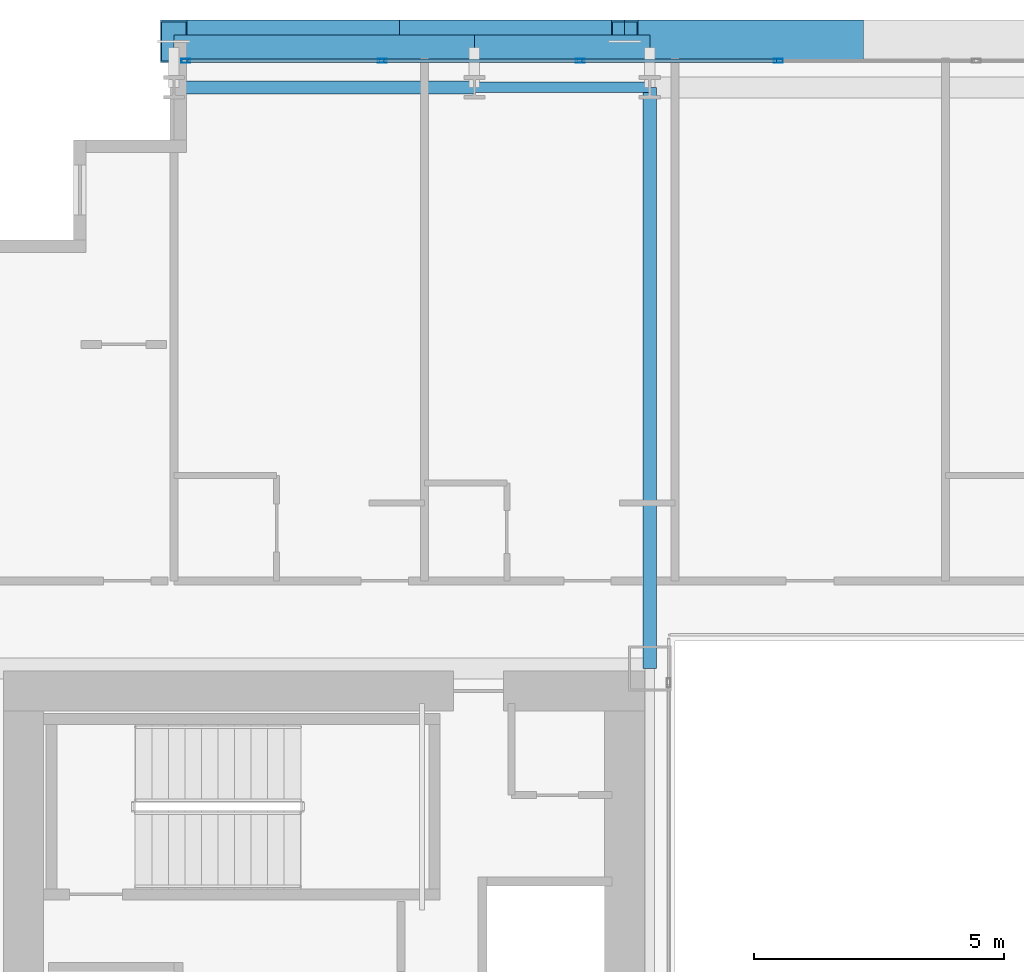
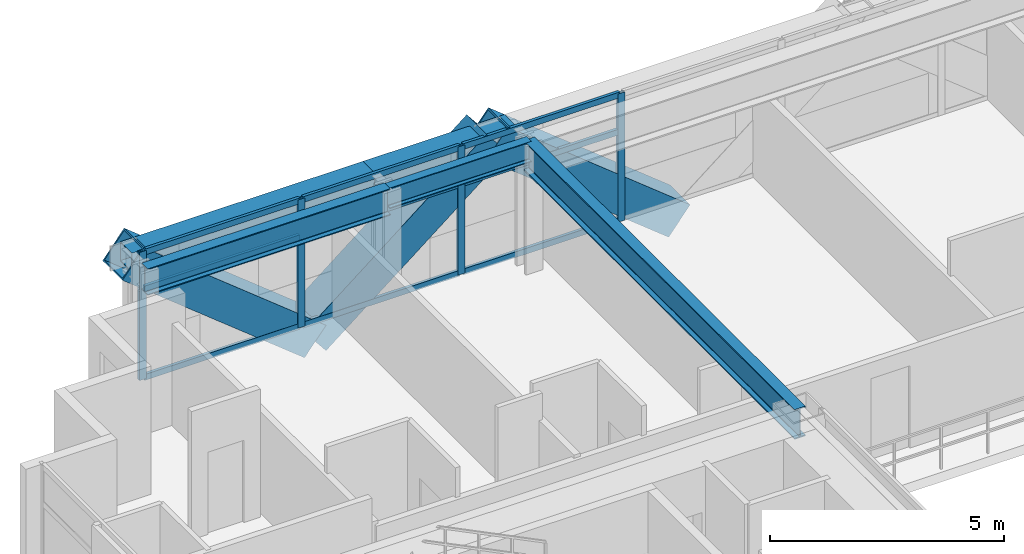
# One storey, part 21 of 41: 16 members, 5 beams, 1 element without a shape of its own.
"""IFC4 building model written with IfcOpenShell, lengths in metres."""

from ifc_helpers import new_model, si_unit, direction, frame, origin, origin_2d, place, context, subcontext, project, spatial, hollow_rectangle, i_section, extrude, source, transform, mapped, material, layer, layer_set, material_profile, profile_set, type_object, element, aggregate, save


model = new_model("IFC4")

# Units and contexts
model_context = context("Model", 3, precision=1e-05, world=origin(), true_north=direction((0.0, 1.0)))
body_context = subcontext(model_context, "Body", "Model", "MODEL_VIEW")
ifc_project = project(units=[si_unit("LENGTHUNIT", "METRE"), si_unit("AREAUNIT", "SQUARE_METRE"), si_unit("VOLUMEUNIT", "CUBIC_METRE"), si_unit("PLANEANGLEUNIT", "RADIAN"), si_unit("MASSUNIT", "GRAM", prefix="KILO")], contexts=[model_context])

# Site, building, storey
site_placement = place(None, origin())
site = spatial("IfcSite", under=ifc_project, at=site_placement, CompositionType="ELEMENT")
building_placement = place(site_placement, origin())
building = spatial("IfcBuilding", under=site, at=building_placement, Name="Ocotamira Hotel", CompositionType="ELEMENT")
storey_placement = place(building_placement, frame((0.0, 0.0, 67.199951171875)))
storey = spatial("IfcBuildingStorey", under=building, at=storey_placement, Name="L16", CompositionType="ELEMENT", Elevation=67.199951171875)

# Beams
ifc_material_1 = material(Name="Steel ASTM A992 Grade 50", Category="steel")
ifc_material_profile_1 = material_profile(ifc_material_1, i_section(OverallWidth=0.256103515625, OverallDepth=0.693115234375, WebThickness=0.014404296875, FlangeThickness=0.023681640625, FilletRadius=0.01611328125, at=origin_2d()), Name="W27X114")
ifc_profile_set_1 = profile_set([ifc_material_profile_1], Name="Steel ASTM A992 Grade 50")
beam_type_1 = type_object("IfcBeamType", Name="BM-PRIM-W27X114", PredefinedType="BEAM", material=ifc_profile_set_1)
shared_shape_1 = source(origin(), body_context, "Body", "SweptSolid", [
    extrude(i_section(OverallWidth=0.256103515625, OverallDepth=0.693115234375, WebThickness=0.014404296875, FlangeThickness=0.023681640625, FilletRadius=0.01611328125, at=origin_2d()), origin(), (0.0, 0.0, 1.0), 6.0),
])
beam_1_placement = place(storey_placement, frame((14.0, 49.050048828125, 3.003662109375), z_axis=(1.0, 0.0, 0.0), x_axis=(0.0, 1.0, 0.0)))
element("IfcBeam", 1, at=beam_1_placement, inside=storey, type_object=beam_type_1, Name="L16 Girder Y49.05 X14-20", PredefinedType="BEAM", context=body_context, shape_type="MappedRepresentation", body=[
    mapped(shared_shape_1, transform((0.0, 0.0, 0.0), scale=1.0)),
])
ifc_material_profile_2 = material_profile(ifc_material_1, i_section(OverallWidth=0.2099609375, OverallDepth=0.537109375, WebThickness=0.010986328125, FlangeThickness=0.017333984375, FilletRadius=0.012939453125, at=origin_2d()), Name="W21X68")
ifc_profile_set_2 = profile_set([ifc_material_profile_2], Name="Steel ASTM A992 Grade 50")
beam_type_2 = type_object("IfcBeamType", Name="BM-SEC-W21X68", PredefinedType="JOIST", material=ifc_profile_set_2)
shared_shape_2 = source(origin(), body_context, "Body", "SweptSolid", [
    extrude(i_section(OverallWidth=0.2099609375, OverallDepth=0.537109375, WebThickness=0.010986328125, FlangeThickness=0.017333984375, FilletRadius=0.012939453125, at=origin_2d()), origin(), (0.0, 0.0, 1.0), 3.5),
])
beam_2_placement = place(storey_placement, frame((20.0, 49.050048828125, 3.08154296875), z_axis=(1.0, 0.0, 0.0), x_axis=(0.0, 1.0, 0.0)))
element("IfcBeam", 2, at=beam_2_placement, inside=storey, type_object=beam_type_2, Name="L16 Girder Y49.05 X20-23.5", PredefinedType="JOIST", context=body_context, shape_type="MappedRepresentation", body=[
    mapped(shared_shape_2, transform((0.0, 0.0, 0.0), scale=1.0)),
])
ifc_material_profile_3 = material_profile(ifc_material_1, i_section(OverallWidth=0.26611328125, OverallDepth=0.779052734375, WebThickness=0.0166015625, FlangeThickness=0.030029296875, FilletRadius=0.01806640625, at=origin_2d()), Name="W30X148")
ifc_profile_set_3 = profile_set([ifc_material_profile_3], Name="Steel ASTM A992 Grade 50")
beam_type_3 = type_object("IfcBeamType", Name="BM-GIRD-W30X148", PredefinedType="BEAM", material=ifc_profile_set_3)
shared_shape_3 = source(origin(), body_context, "Body", "SweptSolid", [
    extrude(i_section(OverallWidth=0.26611328125, OverallDepth=0.779052734375, WebThickness=0.0166015625, FlangeThickness=0.030029296875, FilletRadius=0.01806640625, at=origin_2d()), origin(), (0.0, 0.0, 1.0), 11.60009765625),
])
beam_3_placement = place(storey_placement, frame((23.5, 37.449951171875, 2.96044921875), z_axis=(0.0, 1.0, 0.0), x_axis=(-1.0, 0.0, 0.0)))
element("IfcBeam", 3, at=beam_3_placement, inside=storey, type_object=beam_type_3, Name="L16 Beam X23.5 Y37.45-49.05", PredefinedType="BEAM", context=body_context, shape_type="MappedRepresentation", body=[
    mapped(shared_shape_3, transform((0.0, 0.0, 0.0), scale=1.0)),
])
ifc_material_2 = material(Name="Steel ASTM A500 Grade C", Category="steel")
ifc_material_profile_4 = material_profile(ifc_material_2, hollow_rectangle(XDim=0.5, YDim=0.5, WallThickness=0.02001953125, at=origin_2d()), Name="HSS500X500X20")
ifc_profile_set_4 = profile_set([ifc_material_profile_4], Name="Steel ASTM A500 Grade C")
beam_type_4 = type_object("IfcBeamType", Name="BM-SPAN-HSS500", PredefinedType="USERDEFINED", material=ifc_profile_set_4)
shared_shape_4 = source(origin(), body_context, "Body", "SweptSolid", [
    extrude(hollow_rectangle(XDim=0.5, YDim=0.5, WallThickness=0.02001953125, at=origin_2d()), origin(), (0.0, 0.0, 1.0), 6.0),
])
beam_4_placement = place(storey_placement, frame((14.0, 49.85009765625, 3.10009765625), z_axis=(1.0, 0.0, 0.0), x_axis=(0.0, 1.0, 0.0)))
element("IfcBeam", 4, at=beam_4_placement, inside=storey, type_object=beam_type_4, Name="L16 Edge Spandrel N X14-20", ObjectType="SPANDREL", PredefinedType="USERDEFINED", context=body_context, shape_type="MappedRepresentation", body=[
    mapped(shared_shape_4, transform((0.0, 0.0, 0.0), scale=1.0)),
])
shared_shape_5 = source(origin(), body_context, "Body", "SweptSolid", [
    extrude(hollow_rectangle(XDim=0.5, YDim=0.5, WallThickness=0.02001953125, at=origin_2d()), origin(), (0.0, 0.0, 1.0), 3.5),
])
beam_5_placement = place(storey_placement, frame((20.0, 49.85009765625, 3.10009765625), z_axis=(1.0, 0.0, 0.0), x_axis=(0.0, 1.0, 0.0)))
element("IfcBeam", 5, at=beam_5_placement, inside=storey, type_object=beam_type_4, Name="L16 Edge Spandrel N X20-23.5", ObjectType="SPANDREL", PredefinedType="USERDEFINED", context=body_context, shape_type="MappedRepresentation", body=[
    mapped(shared_shape_5, transform((0.0, 0.0, 0.0), scale=1.0)),
])

# Members
ifc_material_3 = material(Name="Pale-metal coated steel ASTM A913 Grade 65", Category="steel")
ifc_material_profile_5 = material_profile(ifc_material_3, hollow_rectangle(XDim=0.85009765625, YDim=0.85009765625, WallThickness=0.035888671875, at=origin_2d()), Name="BOX850X850X36")
ifc_profile_set_5 = profile_set([ifc_material_profile_5], Name="Pale-metal coated steel ASTM A913 Grade 65")
member_type_1 = type_object("IfcMemberType", Name="MEM-EXO-BOX850", PredefinedType="BRACE", material=ifc_profile_set_5)
shared_shape_6 = source(origin(), body_context, "Body", "SweptSolid", [
    extrude(hollow_rectangle(XDim=0.85009765625, YDim=0.85009765625, WallThickness=0.035888671875, at=origin_2d()), origin(), (0.0, 0.0, 1.0), 5.762939453125),
])
for number, where, z_axis, x_axis, name in (
    (6, (18.5, 49.969970703125, -0.5), (-0.780860543151, 0.0, 0.624705380279), (0.0, -1.0, 0.0), "L16 Exoskeleton Diagrid N0.1"),
    (7, (18.5, 49.969970703125, -0.5), (0.780860543151, 0.0, 0.624705380279), (0.0, 1.0, 0.0), "L16 Exoskeleton Diagrid N0.2"),
    (8, (27.5, 49.969970703125, -0.5), (-0.780860543151, 0.0, 0.624705380279), (0.0, -1.0, 0.0), "L16 Exoskeleton Diagrid N1.1"),
):
    element("IfcMember", number, at=place(storey_placement, frame(where, z_axis=z_axis, x_axis=x_axis)), inside=storey, type_object=member_type_1, Name=name, PredefinedType="BRACE", context=body_context, shape_type="MappedRepresentation", body=[
        mapped(shared_shape_6, transform((0.0, 0.0, 0.0), scale=1.0)),
    ])

# Curtain wall, members
ifc_material_4 = material(Name="Anodised pale-metal aluminium and solar glass", Category="aluminium")
ifc_layer = layer(ifc_material_4, 0.179931640625)
ifc_layer_set = layer_set([ifc_layer], Name="Anodised pale-metal aluminium and solar glass")
curtain_wall_type = type_object("IfcCurtainWallType", Name="CW-SYS2-Z1", PredefinedType="NOTDEFINED", material=ifc_layer_set)
curtain_wall_placement = place(storey_placement, origin())
curtain_wall = element("IfcCurtainWall", 9, at=curtain_wall_placement, inside=storey, type_object=curtain_wall_type, Name="L16 Curtain Wall CW-2 CW-L16-N", PredefinedType="NOTDEFINED")
ifc_material_5 = material(Name="Anodised pale-metal aluminium 6063-T6", Category="aluminium")
ifc_material_profile_6 = material_profile(ifc_material_5, hollow_rectangle(XDim=0.074951171875, YDim=0.14990234375, WallThickness=0.006103515625, at=origin_2d()), Name="HSS150X75X6")
ifc_profile_set_6 = profile_set([ifc_material_profile_6], Name="Anodised pale-metal aluminium 6063-T6")
member_type_2 = type_object("IfcMemberType", Name="CWT-150X75", PredefinedType="USERDEFINED", material=ifc_profile_set_6)
shared_shape_7 = source(origin(), body_context, "Body", "SweptSolid", [
    extrude(hollow_rectangle(XDim=0.074951171875, YDim=0.14990234375, WallThickness=0.006103515625, at=origin_2d()), origin(), (0.0, 0.0, 1.0), 3.83544921875),
])
member_1_placement = place(storey_placement, frame((14.280029296875, 49.580078125, 0.03759765625), z_axis=(1.0, 0.0, 0.0), x_axis=(0.0, 1.0, 0.0)))
member_1 = element("IfcMember", 10, at=member_1_placement, type_object=member_type_2, Name="CW-2 transom 1.1", ObjectType="TRANSOM", PredefinedType="USERDEFINED", context=body_context, shape_type="MappedRepresentation", body=[
    mapped(shared_shape_7, transform((0.0, 0.0, 0.0), scale=1.0)),
])
member_2_placement = place(storey_placement, frame((14.280029296875, 49.580078125, 2.35009765625), z_axis=(1.0, 0.0, 0.0), x_axis=(0.0, 1.0, 0.0)))
member_2 = element("IfcMember", 11, at=member_2_placement, type_object=member_type_2, Name="CW-2 transom 1.2", ObjectType="TRANSOM", PredefinedType="USERDEFINED", context=body_context, shape_type="MappedRepresentation", body=[
    mapped(shared_shape_7, transform((0.0, 0.0, 0.0), scale=1.0)),
])
member_3_placement = place(storey_placement, frame((14.280029296875, 49.580078125, 3.3125), z_axis=(1.0, 0.0, 0.0), x_axis=(0.0, 1.0, 0.0)))
member_3 = element("IfcMember", 12, at=member_3_placement, type_object=member_type_2, Name="CW-2 transom 1.3", ObjectType="TRANSOM", PredefinedType="USERDEFINED", context=body_context, shape_type="MappedRepresentation", body=[
    mapped(shared_shape_7, transform((0.0, 0.0, 0.0), scale=1.0)),
])
shared_shape_8 = source(origin(), body_context, "Body", "SweptSolid", [
    extrude(hollow_rectangle(XDim=0.074951171875, YDim=0.14990234375, WallThickness=0.006103515625, at=origin_2d()), origin(), (0.0, 0.0, 1.0), 3.87548828125),
])
member_4_placement = place(storey_placement, frame((18.195556640625, 49.580078125, 0.03759765625), z_axis=(1.0, 0.0, 0.0), x_axis=(0.0, 1.0, 0.0)))
member_4 = element("IfcMember", 13, at=member_4_placement, type_object=member_type_2, Name="CW-2 transom 2.1", ObjectType="TRANSOM", PredefinedType="USERDEFINED", context=body_context, shape_type="MappedRepresentation", body=[
    mapped(shared_shape_8, transform((0.0, 0.0, 0.0), scale=1.0)),
])
member_5_placement = place(storey_placement, frame((18.195556640625, 49.580078125, 2.35009765625), z_axis=(1.0, 0.0, 0.0), x_axis=(0.0, 1.0, 0.0)))
member_5 = element("IfcMember", 14, at=member_5_placement, type_object=member_type_2, Name="CW-2 transom 2.2", ObjectType="TRANSOM", PredefinedType="USERDEFINED", context=body_context, shape_type="MappedRepresentation", body=[
    mapped(shared_shape_8, transform((0.0, 0.0, 0.0), scale=1.0)),
])
member_6_placement = place(storey_placement, frame((18.195556640625, 49.580078125, 3.3125), z_axis=(1.0, 0.0, 0.0), x_axis=(0.0, 1.0, 0.0)))
member_6 = element("IfcMember", 15, at=member_6_placement, type_object=member_type_2, Name="CW-2 transom 2.3", ObjectType="TRANSOM", PredefinedType="USERDEFINED", context=body_context, shape_type="MappedRepresentation", body=[
    mapped(shared_shape_8, transform((0.0, 0.0, 0.0), scale=1.0)),
])
member_7_placement = place(storey_placement, frame((22.151123046875, 49.580078125, 0.03759765625), z_axis=(1.0, 0.0, 0.0), x_axis=(0.0, 1.0, 0.0)))
member_7 = element("IfcMember", 16, at=member_7_placement, type_object=member_type_2, Name="CW-2 transom 3.1", ObjectType="TRANSOM", PredefinedType="USERDEFINED", context=body_context, shape_type="MappedRepresentation", body=[
    mapped(shared_shape_8, transform((0.0, 0.0, 0.0), scale=1.0)),
])
member_8_placement = place(storey_placement, frame((22.151123046875, 49.580078125, 2.35009765625), z_axis=(1.0, 0.0, 0.0), x_axis=(0.0, 1.0, 0.0)))
member_8 = element("IfcMember", 17, at=member_8_placement, type_object=member_type_2, Name="CW-2 transom 3.2", ObjectType="TRANSOM", PredefinedType="USERDEFINED", context=body_context, shape_type="MappedRepresentation", body=[
    mapped(shared_shape_8, transform((0.0, 0.0, 0.0), scale=1.0)),
])
member_9_placement = place(storey_placement, frame((22.151123046875, 49.580078125, 3.3125), z_axis=(1.0, 0.0, 0.0), x_axis=(0.0, 1.0, 0.0)))
member_9 = element("IfcMember", 18, at=member_9_placement, type_object=member_type_2, Name="CW-2 transom 3.3", ObjectType="TRANSOM", PredefinedType="USERDEFINED", context=body_context, shape_type="MappedRepresentation", body=[
    mapped(shared_shape_8, transform((0.0, 0.0, 0.0), scale=1.0)),
])
ifc_material_profile_7 = material_profile(ifc_material_5, hollow_rectangle(XDim=0.080078125, YDim=0.179931640625, WallThickness=0.006103515625, at=origin_2d()), Name="HSS180X80X6")
ifc_profile_set_7 = profile_set([ifc_material_profile_7], Name="Anodised pale-metal aluminium 6063-T6")
member_type_3 = type_object("IfcMemberType", Name="CWM-180X75", PredefinedType="MULLION", material=ifc_profile_set_7)
shared_shape_9 = source(origin(), body_context, "Body", "SweptSolid", [
    extrude(hollow_rectangle(XDim=0.080078125, YDim=0.179931640625, WallThickness=0.006103515625, at=origin_2d()), origin(), (0.0, 0.0, 1.0), 3.35009765625),
])
member_10_placement = place(storey_placement, frame((14.239990234375, 49.580078125, 0.0), z_axis=(0.0, 0.0, 1.0), x_axis=(0.0, 1.0, 0.0)))
member_10 = element("IfcMember", 19, at=member_10_placement, type_object=member_type_3, Name="CW-2 mullion 1", PredefinedType="MULLION", context=body_context, shape_type="MappedRepresentation", body=[
    mapped(shared_shape_9, transform((0.0, 0.0, 0.0), scale=1.0)),
])
member_11_placement = place(storey_placement, frame((18.155517578125, 49.580078125, 0.0), z_axis=(0.0, 0.0, 1.0), x_axis=(0.0, 1.0, 0.0)))
member_11 = element("IfcMember", 20, at=member_11_placement, type_object=member_type_3, Name="CW-2 mullion 2", PredefinedType="MULLION", context=body_context, shape_type="MappedRepresentation", body=[
    mapped(shared_shape_9, transform((0.0, 0.0, 0.0), scale=1.0)),
])
member_12_placement = place(storey_placement, frame((22.111083984375, 49.580078125, 0.0), z_axis=(0.0, 0.0, 1.0), x_axis=(0.0, 1.0, 0.0)))
member_12 = element("IfcMember", 21, at=member_12_placement, type_object=member_type_3, Name="CW-2 mullion 3", PredefinedType="MULLION", context=body_context, shape_type="MappedRepresentation", body=[
    mapped(shared_shape_9, transform((0.0, 0.0, 0.0), scale=1.0)),
])
member_13_placement = place(storey_placement, frame((26.066650390625, 49.580078125, 0.0), z_axis=(0.0, 0.0, 1.0), x_axis=(0.0, 1.0, 0.0)))
member_13 = element("IfcMember", 22, at=member_13_placement, type_object=member_type_3, Name="CW-2 mullion 4", PredefinedType="MULLION", context=body_context, shape_type="MappedRepresentation", body=[
    mapped(shared_shape_9, transform((0.0, 0.0, 0.0), scale=1.0)),
])
aggregate(curtain_wall, [member_10, member_11, member_12, member_13, member_1, member_2, member_3, member_4, member_5, member_6, member_7, member_8, member_9])

save(model, "model.ifc")
